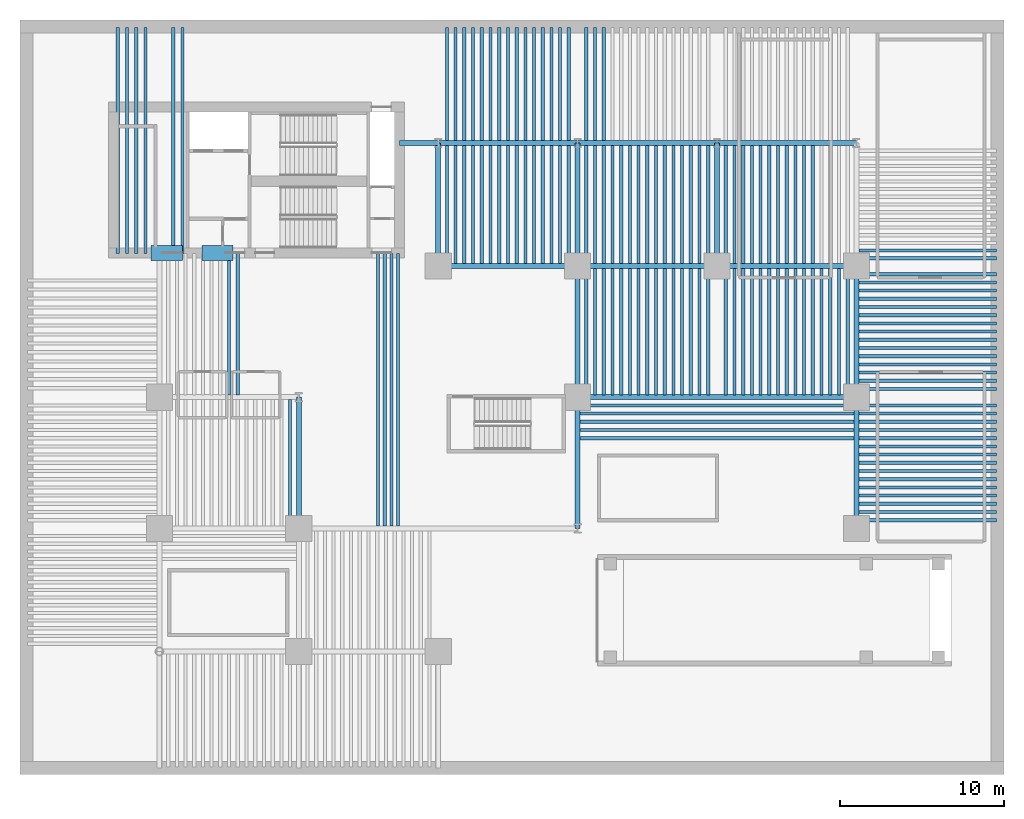
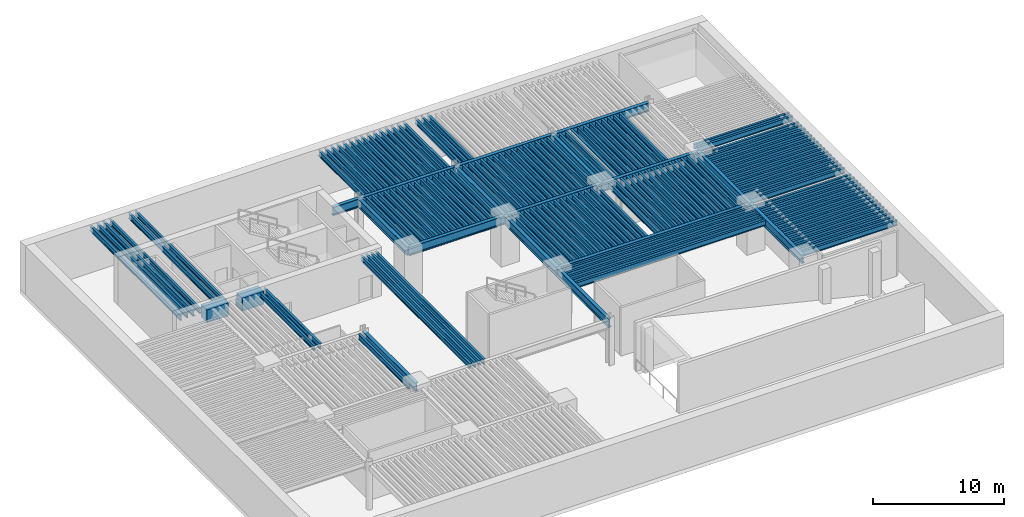
# One storey, part 2 of 9: 157 beams.
"""IFC4 building model written with IfcOpenShell, lengths in metres."""

from ifc_helpers import new_model, si_unit, direction, frame, origin, origin_2d, place, context, subcontext, project, spatial, rectangle, i_section, extrude, material, material_profile, profile_set, type_object, element, save


model = new_model("IFC4")

# Units and contexts
model_context = context("Model", 3, precision=1e-05, world=origin(), true_north=direction((0.0, 1.0)))
body_context = subcontext(model_context, "Body", "Model", "MODEL_VIEW")
ifc_project = project(units=[si_unit("LENGTHUNIT", "METRE"), si_unit("AREAUNIT", "SQUARE_METRE"), si_unit("VOLUMEUNIT", "CUBIC_METRE"), si_unit("PLANEANGLEUNIT", "RADIAN"), si_unit("MASSUNIT", "GRAM", prefix="KILO")], contexts=[model_context])

# Site, building, storey
site_placement = place(None, origin())
site = spatial("IfcSite", under=ifc_project, at=site_placement, CompositionType="ELEMENT")
building_placement = place(site_placement, origin())
building = spatial("IfcBuilding", under=site, at=building_placement, Name="Caeloran Harvest Quay", CompositionType="ELEMENT")
storey_placement = place(building_placement, frame((0.0, 0.0, -13.5)))
storey = spatial("IfcBuildingStorey", under=building, at=storey_placement, Name="B03", CompositionType="ELEMENT", Elevation=-13.5)

# Beams
ifc_material_1 = material(Name="Concrete C80/95", Category="concrete")
ifc_material_profile_1 = material_profile(ifc_material_1, rectangle(XDim=0.89990234375, YDim=1.199951171875, at=origin_2d()), Name="RC 900x1200")
ifc_profile_set_1 = profile_set([ifc_material_profile_1], Name="Concrete C80/95")
beam_type_1 = type_object("IfcBeamType", Name="BM-CB-1-RC_900x1200", PredefinedType="LINTEL", material=ifc_profile_set_1)
for number, where, z_axis, x_axis, name in (
    (1, (8.0, 31.800048828125, 3.550048828125), (1.0, 0.0, 0.0), (0.0, 1.0, 0.0), "B03 Core Coupling Beam 1"),
    (2, (11.10009765625, 31.800048828125, 3.550048828125), (1.0, 0.0, 0.0), (0.0, 1.0, 0.0), "B03 Core Coupling Beam 2"),
):
    element("IfcBeam", number, at=place(storey_placement, frame(where, z_axis=z_axis, x_axis=x_axis)), inside=storey, type_object=beam_type_1, Name=name, PredefinedType="LINTEL", context=body_context, shape_type="SweptSolid", body=[
        extrude(rectangle(XDim=0.89990234375, YDim=1.199951171875, at=origin_2d()), origin(), (0.0, 0.0, 1.0), 1.89990234375),
    ])
ifc_material_2 = material(Name="Steel S355J2", Category="steel")
ifc_material_profile_2 = material_profile(ifc_material_2, i_section(OverallWidth=0.300048828125, OverallDepth=0.800048828125, WebThickness=0.017578125, FlangeThickness=0.032958984375, FilletRadius=0.030029296875, at=origin_2d()), Name="HE 800 B")
ifc_profile_set_2 = profile_set([ifc_material_profile_2], Name="Steel S355J2")
beam_type_2 = type_object("IfcBeamType", Name="BM-PG-1-HE_800_B", PredefinedType="BEAM", material=ifc_profile_set_2)
beam_1_placement = place(storey_placement, frame((34.0, 23.0, 3.75), z_axis=(1.0, 0.0, 0.0), x_axis=(0.0, 1.0, 0.0)))
element("IfcBeam", 3, at=beam_1_placement, inside=storey, type_object=beam_type_2, Name="B03 Primary East-West Girder Y=23.0", PredefinedType="BEAM", context=body_context, shape_type="SweptSolid", body=[
    extrude(i_section(OverallWidth=0.300048828125, OverallDepth=0.800048828125, WebThickness=0.017578125, FlangeThickness=0.032958984375, FilletRadius=0.030029296875, at=origin_2d()), origin(), (0.0, 0.0, 1.0), 17.0),
])
for number, where, z_axis, x_axis, name in (
    (4, (25.5, 31.0, 3.75), (1.0, 0.0, 0.0), (0.0, 1.0, 0.0), "B03 Primary East-West Girder Y=31.0"),
    (5, (34.0, 31.0, 3.75), (1.0, 0.0, 0.0), (0.0, 1.0, 0.0), "B03 Primary East-West Girder Y=31.0"),
    (6, (42.5, 31.0, 3.75), (1.0, 0.0, 0.0), (0.0, 1.0, 0.0), "B03 Primary East-West Girder Y=31.0"),
    (7, (25.5, 38.5, 3.75), (1.0, 0.0, 0.0), (0.0, 1.0, 0.0), "B03 Primary East-West Girder Y=38.5"),
    (8, (34.0, 38.5, 3.75), (1.0, 0.0, 0.0), (0.0, 1.0, 0.0), "B03 Primary East-West Girder Y=38.5"),
    (9, (42.5, 38.5, 3.75), (1.0, 0.0, 0.0), (0.0, 1.0, 0.0), "B03 Primary East-West Girder Y=38.5"),
):
    element("IfcBeam", number, at=place(storey_placement, frame(where, z_axis=z_axis, x_axis=x_axis)), inside=storey, type_object=beam_type_2, Name=name, PredefinedType="BEAM", context=body_context, shape_type="SweptSolid", body=[
        extrude(i_section(OverallWidth=0.300048828125, OverallDepth=0.800048828125, WebThickness=0.017578125, FlangeThickness=0.032958984375, FilletRadius=0.030029296875, at=origin_2d()), origin(), (0.0, 0.0, 1.0), 8.5),
    ])
beam_2_placement = place(storey_placement, frame((23.14990234375, 38.5, 3.75), z_axis=(1.0, 0.0, 0.0), x_axis=(0.0, 1.0, 0.0)))
element("IfcBeam", 10, at=beam_2_placement, inside=storey, type_object=beam_type_2, Name="B03 Core East Tie Girder Y=38.5", PredefinedType="BEAM", context=body_context, shape_type="SweptSolid", body=[
    extrude(i_section(OverallWidth=0.300048828125, OverallDepth=0.800048828125, WebThickness=0.017578125, FlangeThickness=0.032958984375, FilletRadius=0.030029296875, at=origin_2d()), origin(), (0.0, 0.0, 1.0), 2.35009765625),
])
beam_3_placement = place(storey_placement, frame((17.0, 15.0, 3.75), z_axis=(0.0, 1.0, 0.0), x_axis=(-1.0, 0.0, 0.0)))
element("IfcBeam", 11, at=beam_3_placement, inside=storey, type_object=beam_type_2, Name="B03 Primary North-South Girder X=17.0", PredefinedType="BEAM", context=body_context, shape_type="SweptSolid", body=[
    extrude(i_section(OverallWidth=0.300048828125, OverallDepth=0.800048828125, WebThickness=0.017578125, FlangeThickness=0.032958984375, FilletRadius=0.030029296875, at=origin_2d()), origin(), (0.0, 0.0, 1.0), 8.0),
])
beam_4_placement = place(storey_placement, frame((25.5, 31.0, 3.75), z_axis=(0.0, 1.0, 0.0), x_axis=(-1.0, 0.0, 0.0)))
element("IfcBeam", 12, at=beam_4_placement, inside=storey, type_object=beam_type_2, Name="B03 Primary North-South Girder X=25.5", PredefinedType="BEAM", context=body_context, shape_type="SweptSolid", body=[
    extrude(i_section(OverallWidth=0.300048828125, OverallDepth=0.800048828125, WebThickness=0.017578125, FlangeThickness=0.032958984375, FilletRadius=0.030029296875, at=origin_2d()), origin(), (0.0, 0.0, 1.0), 7.5),
])
for number, where, z_axis, x_axis, name in (
    (13, (34.0, 15.0, 3.75), (0.0, 1.0, 0.0), (-1.0, 0.0, 0.0), "B03 Primary North-South Girder X=34.0"),
    (14, (34.0, 23.0, 3.75), (0.0, 1.0, 0.0), (-1.0, 0.0, 0.0), "B03 Primary North-South Girder X=34.0"),
):
    element("IfcBeam", number, at=place(storey_placement, frame(where, z_axis=z_axis, x_axis=x_axis)), inside=storey, type_object=beam_type_2, Name=name, PredefinedType="BEAM", context=body_context, shape_type="SweptSolid", body=[
        extrude(i_section(OverallWidth=0.300048828125, OverallDepth=0.800048828125, WebThickness=0.017578125, FlangeThickness=0.032958984375, FilletRadius=0.030029296875, at=origin_2d()), origin(), (0.0, 0.0, 1.0), 8.0),
    ])
for number, where, z_axis, x_axis, name in (
    (15, (34.0, 31.0, 3.75), (0.0, 1.0, 0.0), (-1.0, 0.0, 0.0), "B03 Primary North-South Girder X=34.0"),
    (16, (42.5, 31.0, 3.75), (0.0, 1.0, 0.0), (-1.0, 0.0, 0.0), "B03 Primary North-South Girder X=42.5"),
):
    element("IfcBeam", number, at=place(storey_placement, frame(where, z_axis=z_axis, x_axis=x_axis)), inside=storey, type_object=beam_type_2, Name=name, PredefinedType="BEAM", context=body_context, shape_type="SweptSolid", body=[
        extrude(i_section(OverallWidth=0.300048828125, OverallDepth=0.800048828125, WebThickness=0.017578125, FlangeThickness=0.032958984375, FilletRadius=0.030029296875, at=origin_2d()), origin(), (0.0, 0.0, 1.0), 7.5),
    ])
for number, where, z_axis, x_axis, name in (
    (17, (51.0, 15.0, 3.75), (0.0, 1.0, 0.0), (-1.0, 0.0, 0.0), "B03 Primary North-South Girder X=51.0"),
    (18, (51.0, 23.0, 3.75), (0.0, 1.0, 0.0), (-1.0, 0.0, 0.0), "B03 Primary North-South Girder X=51.0"),
):
    element("IfcBeam", number, at=place(storey_placement, frame(where, z_axis=z_axis, x_axis=x_axis)), inside=storey, type_object=beam_type_2, Name=name, PredefinedType="BEAM", context=body_context, shape_type="SweptSolid", body=[
        extrude(i_section(OverallWidth=0.300048828125, OverallDepth=0.800048828125, WebThickness=0.017578125, FlangeThickness=0.032958984375, FilletRadius=0.030029296875, at=origin_2d()), origin(), (0.0, 0.0, 1.0), 8.0),
    ])
ifc_material_profile_3 = material_profile(ifc_material_2, i_section(OverallWidth=0.199951171875, OverallDepth=0.5, WebThickness=0.01025390625, FlangeThickness=0.01611328125, FilletRadius=0.02099609375, at=origin_2d()), Name="IPE 500")
ifc_profile_set_3 = profile_set([ifc_material_profile_3], Name="Steel S355J2")
beam_type_3 = type_object("IfcBeamType", Name="BM-SB-2-IPE_500", PredefinedType="JOIST", material=ifc_profile_set_3)
for number, where, z_axis, x_axis, name in (
    (19, (26.03125, 38.64501953125, 3.89990234375), (0.0, 1.0, 0.0), (-1.0, 0.0, 0.0), "B03 Secondary Composite Joist"),
    (20, (27.09375, 38.64501953125, 3.89990234375), (0.0, 1.0, 0.0), (-1.0, 0.0, 0.0), "B03 Secondary Composite Joist"),
    (21, (28.15625, 38.64501953125, 3.89990234375), (0.0, 1.0, 0.0), (-1.0, 0.0, 0.0), "B03 Secondary Composite Joist"),
    (22, (29.21875, 38.64501953125, 3.89990234375), (0.0, 1.0, 0.0), (-1.0, 0.0, 0.0), "B03 Secondary Composite Joist"),
    (23, (30.28125, 38.64501953125, 3.89990234375), (0.0, 1.0, 0.0), (-1.0, 0.0, 0.0), "B03 Secondary Composite Joist"),
    (24, (31.34375, 38.64501953125, 3.89990234375), (0.0, 1.0, 0.0), (-1.0, 0.0, 0.0), "B03 Secondary Composite Joist"),
    (25, (32.40625, 38.64501953125, 3.89990234375), (0.0, 1.0, 0.0), (-1.0, 0.0, 0.0), "B03 Secondary Composite Joist"),
    (26, (33.46875, 38.64501953125, 3.89990234375), (0.0, 1.0, 0.0), (-1.0, 0.0, 0.0), "B03 Secondary Composite Joist"),
    (27, (34.53125, 38.64501953125, 3.89990234375), (0.0, 1.0, 0.0), (-1.0, 0.0, 0.0), "B03 Secondary Composite Joist"),
    (28, (35.59375, 38.64501953125, 3.89990234375), (0.0, 1.0, 0.0), (-1.0, 0.0, 0.0), "B03 Secondary Composite Joist"),
):
    element("IfcBeam", number, at=place(storey_placement, frame(where, z_axis=z_axis, x_axis=x_axis)), inside=storey, type_object=beam_type_3, Name=name, PredefinedType="JOIST", context=body_context, shape_type="SweptSolid", body=[
        extrude(i_section(OverallWidth=0.199951171875, OverallDepth=0.5, WebThickness=0.01025390625, FlangeThickness=0.01611328125, FilletRadius=0.02099609375, at=origin_2d()), origin(), (0.0, 0.0, 1.0), 6.905029296875),
    ])
for number, where, z_axis, x_axis, name in (
    (29, (26.03125, 31.14501953125, 3.89990234375), (0.0, 1.0, 0.0), (-1.0, 0.0, 0.0), "B03 Secondary Composite Joist"),
    (30, (27.09375, 31.14501953125, 3.89990234375), (0.0, 1.0, 0.0), (-1.0, 0.0, 0.0), "B03 Secondary Composite Joist"),
    (31, (28.15625, 31.14501953125, 3.89990234375), (0.0, 1.0, 0.0), (-1.0, 0.0, 0.0), "B03 Secondary Composite Joist"),
    (32, (29.21875, 31.14501953125, 3.89990234375), (0.0, 1.0, 0.0), (-1.0, 0.0, 0.0), "B03 Secondary Composite Joist"),
    (33, (30.28125, 31.14501953125, 3.89990234375), (0.0, 1.0, 0.0), (-1.0, 0.0, 0.0), "B03 Secondary Composite Joist"),
    (34, (31.34375, 31.14501953125, 3.89990234375), (0.0, 1.0, 0.0), (-1.0, 0.0, 0.0), "B03 Secondary Composite Joist"),
    (35, (32.40625, 31.14501953125, 3.89990234375), (0.0, 1.0, 0.0), (-1.0, 0.0, 0.0), "B03 Secondary Composite Joist"),
    (36, (33.46875, 31.14501953125, 3.89990234375), (0.0, 1.0, 0.0), (-1.0, 0.0, 0.0), "B03 Secondary Composite Joist"),
    (37, (34.53125, 31.14501953125, 3.89990234375), (0.0, 1.0, 0.0), (-1.0, 0.0, 0.0), "B03 Secondary Composite Joist"),
    (38, (35.59375, 31.14501953125, 3.89990234375), (0.0, 1.0, 0.0), (-1.0, 0.0, 0.0), "B03 Secondary Composite Joist"),
    (39, (36.65625, 31.14501953125, 3.89990234375), (0.0, 1.0, 0.0), (-1.0, 0.0, 0.0), "B03 Secondary Composite Joist"),
    (40, (37.71875, 31.14501953125, 3.89990234375), (0.0, 1.0, 0.0), (-1.0, 0.0, 0.0), "B03 Secondary Composite Joist"),
    (41, (38.78125, 31.14501953125, 3.89990234375), (0.0, 1.0, 0.0), (-1.0, 0.0, 0.0), "B03 Secondary Composite Joist"),
    (42, (39.84375, 31.14501953125, 3.89990234375), (0.0, 1.0, 0.0), (-1.0, 0.0, 0.0), "B03 Secondary Composite Joist"),
    (43, (40.90625, 31.14501953125, 3.89990234375), (0.0, 1.0, 0.0), (-1.0, 0.0, 0.0), "B03 Secondary Composite Joist"),
    (44, (41.96875, 31.14501953125, 3.89990234375), (0.0, 1.0, 0.0), (-1.0, 0.0, 0.0), "B03 Secondary Composite Joist"),
    (45, (43.03125, 31.14501953125, 3.89990234375), (0.0, 1.0, 0.0), (-1.0, 0.0, 0.0), "B03 Secondary Composite Joist"),
    (46, (44.09375, 31.14501953125, 3.89990234375), (0.0, 1.0, 0.0), (-1.0, 0.0, 0.0), "B03 Secondary Composite Joist"),
    (47, (45.15625, 31.14501953125, 3.89990234375), (0.0, 1.0, 0.0), (-1.0, 0.0, 0.0), "B03 Secondary Composite Joist"),
    (48, (46.21875, 31.14501953125, 3.89990234375), (0.0, 1.0, 0.0), (-1.0, 0.0, 0.0), "B03 Secondary Composite Joist"),
    (49, (47.28125, 31.14501953125, 3.89990234375), (0.0, 1.0, 0.0), (-1.0, 0.0, 0.0), "B03 Secondary Composite Joist"),
    (50, (48.34375, 31.14501953125, 3.89990234375), (0.0, 1.0, 0.0), (-1.0, 0.0, 0.0), "B03 Secondary Composite Joist"),
):
    element("IfcBeam", number, at=place(storey_placement, frame(where, z_axis=z_axis, x_axis=x_axis)), inside=storey, type_object=beam_type_3, Name=name, PredefinedType="JOIST", context=body_context, shape_type="SweptSolid", body=[
        extrude(i_section(OverallWidth=0.199951171875, OverallDepth=0.5, WebThickness=0.01025390625, FlangeThickness=0.01611328125, FilletRadius=0.02099609375, at=origin_2d()), origin(), (0.0, 0.0, 1.0), 7.2099609375),
    ])
for number, where, z_axis, x_axis, name in (
    (51, (16.46875, 15.14501953125, 3.89990234375), (0.0, 1.0, 0.0), (-1.0, 0.0, 0.0), "B03 Secondary Composite Joist"),
    (52, (34.53125, 23.14501953125, 3.89990234375), (0.0, 1.0, 0.0), (-1.0, 0.0, 0.0), "B03 Secondary Composite Joist"),
    (53, (35.59375, 23.14501953125, 3.89990234375), (0.0, 1.0, 0.0), (-1.0, 0.0, 0.0), "B03 Secondary Composite Joist"),
    (54, (36.65625, 23.14501953125, 3.89990234375), (0.0, 1.0, 0.0), (-1.0, 0.0, 0.0), "B03 Secondary Composite Joist"),
    (55, (37.71875, 23.14501953125, 3.89990234375), (0.0, 1.0, 0.0), (-1.0, 0.0, 0.0), "B03 Secondary Composite Joist"),
    (56, (38.78125, 23.14501953125, 3.89990234375), (0.0, 1.0, 0.0), (-1.0, 0.0, 0.0), "B03 Secondary Composite Joist"),
    (57, (39.84375, 23.14501953125, 3.89990234375), (0.0, 1.0, 0.0), (-1.0, 0.0, 0.0), "B03 Secondary Composite Joist"),
    (58, (40.90625, 23.14501953125, 3.89990234375), (0.0, 1.0, 0.0), (-1.0, 0.0, 0.0), "B03 Secondary Composite Joist"),
    (59, (41.96875, 23.14501953125, 3.89990234375), (0.0, 1.0, 0.0), (-1.0, 0.0, 0.0), "B03 Secondary Composite Joist"),
    (60, (43.03125, 23.14501953125, 3.89990234375), (0.0, 1.0, 0.0), (-1.0, 0.0, 0.0), "B03 Secondary Composite Joist"),
    (61, (44.09375, 23.14501953125, 3.89990234375), (0.0, 1.0, 0.0), (-1.0, 0.0, 0.0), "B03 Secondary Composite Joist"),
    (62, (45.15625, 23.14501953125, 3.89990234375), (0.0, 1.0, 0.0), (-1.0, 0.0, 0.0), "B03 Secondary Composite Joist"),
    (63, (46.21875, 23.14501953125, 3.89990234375), (0.0, 1.0, 0.0), (-1.0, 0.0, 0.0), "B03 Secondary Composite Joist"),
    (64, (47.28125, 23.14501953125, 3.89990234375), (0.0, 1.0, 0.0), (-1.0, 0.0, 0.0), "B03 Secondary Composite Joist"),
    (65, (48.34375, 23.14501953125, 3.89990234375), (0.0, 1.0, 0.0), (-1.0, 0.0, 0.0), "B03 Secondary Composite Joist"),
    (66, (49.40625, 23.14501953125, 3.89990234375), (0.0, 1.0, 0.0), (-1.0, 0.0, 0.0), "B03 Secondary Composite Joist"),
    (67, (50.46875, 23.14501953125, 3.89990234375), (0.0, 1.0, 0.0), (-1.0, 0.0, 0.0), "B03 Secondary Composite Joist"),
):
    element("IfcBeam", number, at=place(storey_placement, frame(where, z_axis=z_axis, x_axis=x_axis)), inside=storey, type_object=beam_type_3, Name=name, PredefinedType="JOIST", context=body_context, shape_type="SweptSolid", body=[
        extrude(i_section(OverallWidth=0.199951171875, OverallDepth=0.5, WebThickness=0.01025390625, FlangeThickness=0.01611328125, FilletRadius=0.02099609375, at=origin_2d()), origin(), (0.0, 0.0, 1.0), 7.7099609375),
    ])
beam_5_placement = place(storey_placement, frame((13.28125, 23.14501953125, 3.89990234375), z_axis=(0.0, 1.0, 0.0), x_axis=(-1.0, 0.0, 0.0)))
element("IfcBeam", 68, at=beam_5_placement, inside=storey, type_object=beam_type_3, Name="B03 Secondary Composite Joist", PredefinedType="JOIST", context=body_context, shape_type="SweptSolid", body=[
    extrude(i_section(OverallWidth=0.199951171875, OverallDepth=0.5, WebThickness=0.01025390625, FlangeThickness=0.01611328125, FilletRadius=0.02099609375, at=origin_2d()), origin(), (0.0, 0.0, 1.0), 8.60498046875),
])
for number, where, z_axis, x_axis, name in (
    (69, (5.964111328125, 31.75, 3.89990234375), (0.0, 1.0, 0.0), (-1.0, 0.0, 0.0), "B03 Secondary Composite Joist"),
    (70, (7.09228515625, 31.75, 3.89990234375), (0.0, 1.0, 0.0), (-1.0, 0.0, 0.0), "B03 Secondary Composite Joist"),
    (71, (9.348388671875, 31.75, 3.89990234375), (0.0, 1.0, 0.0), (-1.0, 0.0, 0.0), "B03 Secondary Composite Joist"),
):
    element("IfcBeam", number, at=place(storey_placement, frame(where, z_axis=z_axis, x_axis=x_axis)), inside=storey, type_object=beam_type_3, Name=name, PredefinedType="JOIST", context=body_context, shape_type="SweptSolid", body=[
        extrude(i_section(OverallWidth=0.199951171875, OverallDepth=0.5, WebThickness=0.01025390625, FlangeThickness=0.01611328125, FilletRadius=0.02099609375, at=origin_2d()), origin(), (0.0, 0.0, 1.0), 13.800048828125),
    ])
for number, where, z_axis, x_axis, name in (
    (72, (22.240478515625, 15.14501953125, 3.89990234375), (0.0, 1.0, 0.0), (-1.0, 0.0, 0.0), "B03 Secondary Composite Joist"),
    (73, (23.046875, 15.14501953125, 3.89990234375), (0.0, 1.0, 0.0), (-1.0, 0.0, 0.0), "B03 Secondary Composite Joist"),
):
    element("IfcBeam", number, at=place(storey_placement, frame(where, z_axis=z_axis, x_axis=x_axis)), inside=storey, type_object=beam_type_3, Name=name, PredefinedType="JOIST", context=body_context, shape_type="SweptSolid", body=[
        extrude(i_section(OverallWidth=0.199951171875, OverallDepth=0.5, WebThickness=0.01025390625, FlangeThickness=0.01611328125, FilletRadius=0.02099609375, at=origin_2d()), origin(), (0.0, 0.0, 1.0), 16.60498046875),
    ])
for number, where, z_axis, x_axis, name in (
    (74, (51.14501953125, 15.5, 3.89990234375), (1.0, 0.0, 0.0), (0.0, 1.0, 0.0), "B03 Secondary East-West Composite Joist"),
    (75, (51.14501953125, 16.5, 3.89990234375), (1.0, 0.0, 0.0), (0.0, 1.0, 0.0), "B03 Secondary East-West Composite Joist"),
    (76, (51.14501953125, 17.5, 3.89990234375), (1.0, 0.0, 0.0), (0.0, 1.0, 0.0), "B03 Secondary East-West Composite Joist"),
    (77, (51.14501953125, 18.5, 3.89990234375), (1.0, 0.0, 0.0), (0.0, 1.0, 0.0), "B03 Secondary East-West Composite Joist"),
    (78, (51.14501953125, 19.5, 3.89990234375), (1.0, 0.0, 0.0), (0.0, 1.0, 0.0), "B03 Secondary East-West Composite Joist"),
    (79, (51.14501953125, 20.5, 3.89990234375), (1.0, 0.0, 0.0), (0.0, 1.0, 0.0), "B03 Secondary East-West Composite Joist"),
    (80, (51.14501953125, 21.5, 3.89990234375), (1.0, 0.0, 0.0), (0.0, 1.0, 0.0), "B03 Secondary East-West Composite Joist"),
    (81, (51.14501953125, 22.5, 3.89990234375), (1.0, 0.0, 0.0), (0.0, 1.0, 0.0), "B03 Secondary East-West Composite Joist"),
    (82, (51.14501953125, 23.5, 3.89990234375), (1.0, 0.0, 0.0), (0.0, 1.0, 0.0), "B03 Secondary East-West Composite Joist"),
    (83, (51.14501953125, 24.5, 3.89990234375), (1.0, 0.0, 0.0), (0.0, 1.0, 0.0), "B03 Secondary East-West Composite Joist"),
    (84, (51.14501953125, 25.5, 3.89990234375), (1.0, 0.0, 0.0), (0.0, 1.0, 0.0), "B03 Secondary East-West Composite Joist"),
    (85, (51.14501953125, 26.5, 3.89990234375), (1.0, 0.0, 0.0), (0.0, 1.0, 0.0), "B03 Secondary East-West Composite Joist"),
    (86, (51.14501953125, 27.5, 3.89990234375), (1.0, 0.0, 0.0), (0.0, 1.0, 0.0), "B03 Secondary East-West Composite Joist"),
    (87, (51.14501953125, 28.5, 3.89990234375), (1.0, 0.0, 0.0), (0.0, 1.0, 0.0), "B03 Secondary East-West Composite Joist"),
    (88, (51.14501953125, 29.5, 3.89990234375), (1.0, 0.0, 0.0), (0.0, 1.0, 0.0), "B03 Secondary East-West Composite Joist"),
    (89, (51.14501953125, 30.5, 3.89990234375), (1.0, 0.0, 0.0), (0.0, 1.0, 0.0), "B03 Secondary East-West Composite Joist"),
    (90, (51.14501953125, 31.46875, 3.89990234375), (1.0, 0.0, 0.0), (0.0, 1.0, 0.0), "B03 Secondary East-West Composite Joist"),
):
    element("IfcBeam", number, at=place(storey_placement, frame(where, z_axis=z_axis, x_axis=x_axis)), inside=storey, type_object=beam_type_3, Name=name, PredefinedType="JOIST", context=body_context, shape_type="SweptSolid", body=[
        extrude(i_section(OverallWidth=0.199951171875, OverallDepth=0.5, WebThickness=0.01025390625, FlangeThickness=0.01611328125, FilletRadius=0.02099609375, at=origin_2d()), origin(), (0.0, 0.0, 1.0), 8.405029296875),
    ])
for number, where, z_axis, x_axis, name in (
    (91, (34.14501953125, 20.5, 3.89990234375), (1.0, 0.0, 0.0), (0.0, 1.0, 0.0), "B03 Secondary East-West Composite Joist"),
    (92, (34.14501953125, 21.5, 3.89990234375), (1.0, 0.0, 0.0), (0.0, 1.0, 0.0), "B03 Secondary East-West Composite Joist"),
    (93, (34.14501953125, 22.5, 3.89990234375), (1.0, 0.0, 0.0), (0.0, 1.0, 0.0), "B03 Secondary East-West Composite Joist"),
):
    element("IfcBeam", number, at=place(storey_placement, frame(where, z_axis=z_axis, x_axis=x_axis)), inside=storey, type_object=beam_type_3, Name=name, PredefinedType="JOIST", context=body_context, shape_type="SweptSolid", body=[
        extrude(i_section(OverallWidth=0.199951171875, OverallDepth=0.5, WebThickness=0.01025390625, FlangeThickness=0.01611328125, FilletRadius=0.02099609375, at=origin_2d()), origin(), (0.0, 0.0, 1.0), 16.7099609375),
    ])
ifc_material_profile_4 = material_profile(ifc_material_2, i_section(OverallWidth=0.18994140625, OverallDepth=0.449951171875, WebThickness=0.009521484375, FlangeThickness=0.0146484375, FilletRadius=0.02099609375, at=origin_2d()), Name="IPE 450")
ifc_profile_set_4 = profile_set([ifc_material_profile_4], Name="Steel S355J2")
beam_type_4 = type_object("IfcBeamType", Name="BM-SB-3-IPE_450", PredefinedType="JOIST", material=ifc_profile_set_4)
for number, where, z_axis, x_axis, name in (
    (94, (26.5625, 38.64501953125, 3.925048828125), (0.0, 1.0, 0.0), (-1.0, 0.0, 0.0), "B03 Secondary Composite Joist"),
    (95, (27.625, 38.64501953125, 3.925048828125), (0.0, 1.0, 0.0), (-1.0, 0.0, 0.0), "B03 Secondary Composite Joist"),
    (96, (28.6875, 38.64501953125, 3.925048828125), (0.0, 1.0, 0.0), (-1.0, 0.0, 0.0), "B03 Secondary Composite Joist"),
    (97, (29.75, 38.64501953125, 3.925048828125), (0.0, 1.0, 0.0), (-1.0, 0.0, 0.0), "B03 Secondary Composite Joist"),
    (98, (30.8125, 38.64501953125, 3.925048828125), (0.0, 1.0, 0.0), (-1.0, 0.0, 0.0), "B03 Secondary Composite Joist"),
    (99, (31.875, 38.64501953125, 3.925048828125), (0.0, 1.0, 0.0), (-1.0, 0.0, 0.0), "B03 Secondary Composite Joist"),
    (100, (32.9375, 38.64501953125, 3.925048828125), (0.0, 1.0, 0.0), (-1.0, 0.0, 0.0), "B03 Secondary Composite Joist"),
    (101, (35.0625, 38.64501953125, 3.925048828125), (0.0, 1.0, 0.0), (-1.0, 0.0, 0.0), "B03 Secondary Composite Joist"),
):
    element("IfcBeam", number, at=place(storey_placement, frame(where, z_axis=z_axis, x_axis=x_axis)), inside=storey, type_object=beam_type_4, Name=name, PredefinedType="JOIST", context=body_context, shape_type="SweptSolid", body=[
        extrude(i_section(OverallWidth=0.18994140625, OverallDepth=0.449951171875, WebThickness=0.009521484375, FlangeThickness=0.0146484375, FilletRadius=0.02099609375, at=origin_2d()), origin(), (0.0, 0.0, 1.0), 6.905029296875),
    ])
for number, where, z_axis, x_axis, name in (
    (102, (26.5625, 31.14501953125, 3.925048828125), (0.0, 1.0, 0.0), (-1.0, 0.0, 0.0), "B03 Secondary Composite Joist"),
    (103, (27.625, 31.14501953125, 3.925048828125), (0.0, 1.0, 0.0), (-1.0, 0.0, 0.0), "B03 Secondary Composite Joist"),
    (104, (28.6875, 31.14501953125, 3.925048828125), (0.0, 1.0, 0.0), (-1.0, 0.0, 0.0), "B03 Secondary Composite Joist"),
    (105, (29.75, 31.14501953125, 3.925048828125), (0.0, 1.0, 0.0), (-1.0, 0.0, 0.0), "B03 Secondary Composite Joist"),
    (106, (30.8125, 31.14501953125, 3.925048828125), (0.0, 1.0, 0.0), (-1.0, 0.0, 0.0), "B03 Secondary Composite Joist"),
    (107, (31.875, 31.14501953125, 3.925048828125), (0.0, 1.0, 0.0), (-1.0, 0.0, 0.0), "B03 Secondary Composite Joist"),
    (108, (32.9375, 31.14501953125, 3.925048828125), (0.0, 1.0, 0.0), (-1.0, 0.0, 0.0), "B03 Secondary Composite Joist"),
    (109, (35.0625, 31.14501953125, 3.925048828125), (0.0, 1.0, 0.0), (-1.0, 0.0, 0.0), "B03 Secondary Composite Joist"),
    (110, (36.125, 31.14501953125, 3.925048828125), (0.0, 1.0, 0.0), (-1.0, 0.0, 0.0), "B03 Secondary Composite Joist"),
    (111, (37.1875, 31.14501953125, 3.925048828125), (0.0, 1.0, 0.0), (-1.0, 0.0, 0.0), "B03 Secondary Composite Joist"),
    (112, (38.25, 31.14501953125, 3.925048828125), (0.0, 1.0, 0.0), (-1.0, 0.0, 0.0), "B03 Secondary Composite Joist"),
    (113, (39.3125, 31.14501953125, 3.925048828125), (0.0, 1.0, 0.0), (-1.0, 0.0, 0.0), "B03 Secondary Composite Joist"),
    (114, (40.375, 31.14501953125, 3.925048828125), (0.0, 1.0, 0.0), (-1.0, 0.0, 0.0), "B03 Secondary Composite Joist"),
    (115, (41.4375, 31.14501953125, 3.925048828125), (0.0, 1.0, 0.0), (-1.0, 0.0, 0.0), "B03 Secondary Composite Joist"),
    (116, (43.5625, 31.14501953125, 3.925048828125), (0.0, 1.0, 0.0), (-1.0, 0.0, 0.0), "B03 Secondary Composite Joist"),
    (117, (44.625, 31.14501953125, 3.925048828125), (0.0, 1.0, 0.0), (-1.0, 0.0, 0.0), "B03 Secondary Composite Joist"),
    (118, (45.6875, 31.14501953125, 3.925048828125), (0.0, 1.0, 0.0), (-1.0, 0.0, 0.0), "B03 Secondary Composite Joist"),
    (119, (46.75, 31.14501953125, 3.925048828125), (0.0, 1.0, 0.0), (-1.0, 0.0, 0.0), "B03 Secondary Composite Joist"),
    (120, (47.8125, 31.14501953125, 3.925048828125), (0.0, 1.0, 0.0), (-1.0, 0.0, 0.0), "B03 Secondary Composite Joist"),
):
    element("IfcBeam", number, at=place(storey_placement, frame(where, z_axis=z_axis, x_axis=x_axis)), inside=storey, type_object=beam_type_4, Name=name, PredefinedType="JOIST", context=body_context, shape_type="SweptSolid", body=[
        extrude(i_section(OverallWidth=0.18994140625, OverallDepth=0.449951171875, WebThickness=0.009521484375, FlangeThickness=0.0146484375, FilletRadius=0.02099609375, at=origin_2d()), origin(), (0.0, 0.0, 1.0), 7.2099609375),
    ])
for number, where, z_axis, x_axis, name in (
    (121, (35.0625, 23.14501953125, 3.925048828125), (0.0, 1.0, 0.0), (-1.0, 0.0, 0.0), "B03 Secondary Composite Joist"),
    (122, (36.125, 23.14501953125, 3.925048828125), (0.0, 1.0, 0.0), (-1.0, 0.0, 0.0), "B03 Secondary Composite Joist"),
    (123, (37.1875, 23.14501953125, 3.925048828125), (0.0, 1.0, 0.0), (-1.0, 0.0, 0.0), "B03 Secondary Composite Joist"),
    (124, (38.25, 23.14501953125, 3.925048828125), (0.0, 1.0, 0.0), (-1.0, 0.0, 0.0), "B03 Secondary Composite Joist"),
    (125, (39.3125, 23.14501953125, 3.925048828125), (0.0, 1.0, 0.0), (-1.0, 0.0, 0.0), "B03 Secondary Composite Joist"),
    (126, (40.375, 23.14501953125, 3.925048828125), (0.0, 1.0, 0.0), (-1.0, 0.0, 0.0), "B03 Secondary Composite Joist"),
    (127, (41.4375, 23.14501953125, 3.925048828125), (0.0, 1.0, 0.0), (-1.0, 0.0, 0.0), "B03 Secondary Composite Joist"),
    (128, (43.5625, 23.14501953125, 3.925048828125), (0.0, 1.0, 0.0), (-1.0, 0.0, 0.0), "B03 Secondary Composite Joist"),
    (129, (44.625, 23.14501953125, 3.925048828125), (0.0, 1.0, 0.0), (-1.0, 0.0, 0.0), "B03 Secondary Composite Joist"),
    (130, (45.6875, 23.14501953125, 3.925048828125), (0.0, 1.0, 0.0), (-1.0, 0.0, 0.0), "B03 Secondary Composite Joist"),
    (131, (46.75, 23.14501953125, 3.925048828125), (0.0, 1.0, 0.0), (-1.0, 0.0, 0.0), "B03 Secondary Composite Joist"),
    (132, (47.8125, 23.14501953125, 3.925048828125), (0.0, 1.0, 0.0), (-1.0, 0.0, 0.0), "B03 Secondary Composite Joist"),
    (133, (48.875, 23.14501953125, 3.925048828125), (0.0, 1.0, 0.0), (-1.0, 0.0, 0.0), "B03 Secondary Composite Joist"),
    (134, (49.9375, 23.14501953125, 3.925048828125), (0.0, 1.0, 0.0), (-1.0, 0.0, 0.0), "B03 Secondary Composite Joist"),
):
    element("IfcBeam", number, at=place(storey_placement, frame(where, z_axis=z_axis, x_axis=x_axis)), inside=storey, type_object=beam_type_4, Name=name, PredefinedType="JOIST", context=body_context, shape_type="SweptSolid", body=[
        extrude(i_section(OverallWidth=0.18994140625, OverallDepth=0.449951171875, WebThickness=0.009521484375, FlangeThickness=0.0146484375, FilletRadius=0.02099609375, at=origin_2d()), origin(), (0.0, 0.0, 1.0), 7.7099609375),
    ])
beam_6_placement = place(storey_placement, frame((12.75, 23.14501953125, 3.925048828125), z_axis=(0.0, 1.0, 0.0), x_axis=(-1.0, 0.0, 0.0)))
element("IfcBeam", 135, at=beam_6_placement, inside=storey, type_object=beam_type_4, Name="B03 Secondary Composite Joist", PredefinedType="JOIST", context=body_context, shape_type="SweptSolid", body=[
    extrude(i_section(OverallWidth=0.18994140625, OverallDepth=0.449951171875, WebThickness=0.009521484375, FlangeThickness=0.0146484375, FilletRadius=0.02099609375, at=origin_2d()), origin(), (0.0, 0.0, 1.0), 8.60498046875),
])
for number, where, z_axis, x_axis, name in (
    (136, (6.528076171875, 31.75, 3.925048828125), (0.0, 1.0, 0.0), (-1.0, 0.0, 0.0), "B03 Secondary Composite Joist"),
    (137, (7.65625, 31.75, 3.925048828125), (0.0, 1.0, 0.0), (-1.0, 0.0, 0.0), "B03 Secondary Composite Joist"),
    (138, (9.91259765625, 31.75, 3.925048828125), (0.0, 1.0, 0.0), (-1.0, 0.0, 0.0), "B03 Secondary Composite Joist"),
):
    element("IfcBeam", number, at=place(storey_placement, frame(where, z_axis=z_axis, x_axis=x_axis)), inside=storey, type_object=beam_type_4, Name=name, PredefinedType="JOIST", context=body_context, shape_type="SweptSolid", body=[
        extrude(i_section(OverallWidth=0.18994140625, OverallDepth=0.449951171875, WebThickness=0.009521484375, FlangeThickness=0.0146484375, FilletRadius=0.02099609375, at=origin_2d()), origin(), (0.0, 0.0, 1.0), 13.800048828125),
    ])
for number, where, z_axis, x_axis, name in (
    (139, (21.83740234375, 15.14501953125, 3.925048828125), (0.0, 1.0, 0.0), (-1.0, 0.0, 0.0), "B03 Secondary Composite Joist"),
    (140, (22.643798828125, 15.14501953125, 3.925048828125), (0.0, 1.0, 0.0), (-1.0, 0.0, 0.0), "B03 Secondary Composite Joist"),
):
    element("IfcBeam", number, at=place(storey_placement, frame(where, z_axis=z_axis, x_axis=x_axis)), inside=storey, type_object=beam_type_4, Name=name, PredefinedType="JOIST", context=body_context, shape_type="SweptSolid", body=[
        extrude(i_section(OverallWidth=0.18994140625, OverallDepth=0.449951171875, WebThickness=0.009521484375, FlangeThickness=0.0146484375, FilletRadius=0.02099609375, at=origin_2d()), origin(), (0.0, 0.0, 1.0), 16.60498046875),
    ])
for number, where, z_axis, x_axis, name in (
    (141, (51.14501953125, 16.0, 3.925048828125), (1.0, 0.0, 0.0), (0.0, 1.0, 0.0), "B03 Secondary East-West Composite Joist"),
    (142, (51.14501953125, 17.0, 3.925048828125), (1.0, 0.0, 0.0), (0.0, 1.0, 0.0), "B03 Secondary East-West Composite Joist"),
    (143, (51.14501953125, 18.0, 3.925048828125), (1.0, 0.0, 0.0), (0.0, 1.0, 0.0), "B03 Secondary East-West Composite Joist"),
    (144, (51.14501953125, 19.0, 3.925048828125), (1.0, 0.0, 0.0), (0.0, 1.0, 0.0), "B03 Secondary East-West Composite Joist"),
    (145, (51.14501953125, 20.0, 3.925048828125), (1.0, 0.0, 0.0), (0.0, 1.0, 0.0), "B03 Secondary East-West Composite Joist"),
    (146, (51.14501953125, 21.0, 3.925048828125), (1.0, 0.0, 0.0), (0.0, 1.0, 0.0), "B03 Secondary East-West Composite Joist"),
    (147, (51.14501953125, 22.0, 3.925048828125), (1.0, 0.0, 0.0), (0.0, 1.0, 0.0), "B03 Secondary East-West Composite Joist"),
    (148, (51.14501953125, 24.0, 3.925048828125), (1.0, 0.0, 0.0), (0.0, 1.0, 0.0), "B03 Secondary East-West Composite Joist"),
    (149, (51.14501953125, 25.0, 3.925048828125), (1.0, 0.0, 0.0), (0.0, 1.0, 0.0), "B03 Secondary East-West Composite Joist"),
    (150, (51.14501953125, 26.0, 3.925048828125), (1.0, 0.0, 0.0), (0.0, 1.0, 0.0), "B03 Secondary East-West Composite Joist"),
    (151, (51.14501953125, 27.0, 3.925048828125), (1.0, 0.0, 0.0), (0.0, 1.0, 0.0), "B03 Secondary East-West Composite Joist"),
    (152, (51.14501953125, 28.0, 3.925048828125), (1.0, 0.0, 0.0), (0.0, 1.0, 0.0), "B03 Secondary East-West Composite Joist"),
    (153, (51.14501953125, 29.0, 3.925048828125), (1.0, 0.0, 0.0), (0.0, 1.0, 0.0), "B03 Secondary East-West Composite Joist"),
    (154, (51.14501953125, 30.0, 3.925048828125), (1.0, 0.0, 0.0), (0.0, 1.0, 0.0), "B03 Secondary East-West Composite Joist"),
    (155, (51.14501953125, 31.9375, 3.925048828125), (1.0, 0.0, 0.0), (0.0, 1.0, 0.0), "B03 Secondary East-West Composite Joist"),
):
    element("IfcBeam", number, at=place(storey_placement, frame(where, z_axis=z_axis, x_axis=x_axis)), inside=storey, type_object=beam_type_4, Name=name, PredefinedType="JOIST", context=body_context, shape_type="SweptSolid", body=[
        extrude(i_section(OverallWidth=0.18994140625, OverallDepth=0.449951171875, WebThickness=0.009521484375, FlangeThickness=0.0146484375, FilletRadius=0.02099609375, at=origin_2d()), origin(), (0.0, 0.0, 1.0), 8.405029296875),
    ])
for number, where, z_axis, x_axis, name in (
    (156, (34.14501953125, 21.0, 3.925048828125), (1.0, 0.0, 0.0), (0.0, 1.0, 0.0), "B03 Secondary East-West Composite Joist"),
    (157, (34.14501953125, 22.0, 3.925048828125), (1.0, 0.0, 0.0), (0.0, 1.0, 0.0), "B03 Secondary East-West Composite Joist"),
):
    element("IfcBeam", number, at=place(storey_placement, frame(where, z_axis=z_axis, x_axis=x_axis)), inside=storey, type_object=beam_type_4, Name=name, PredefinedType="JOIST", context=body_context, shape_type="SweptSolid", body=[
        extrude(i_section(OverallWidth=0.18994140625, OverallDepth=0.449951171875, WebThickness=0.009521484375, FlangeThickness=0.0146484375, FilletRadius=0.02099609375, at=origin_2d()), origin(), (0.0, 0.0, 1.0), 16.7099609375),
    ])

save(model, "model.ifc")
